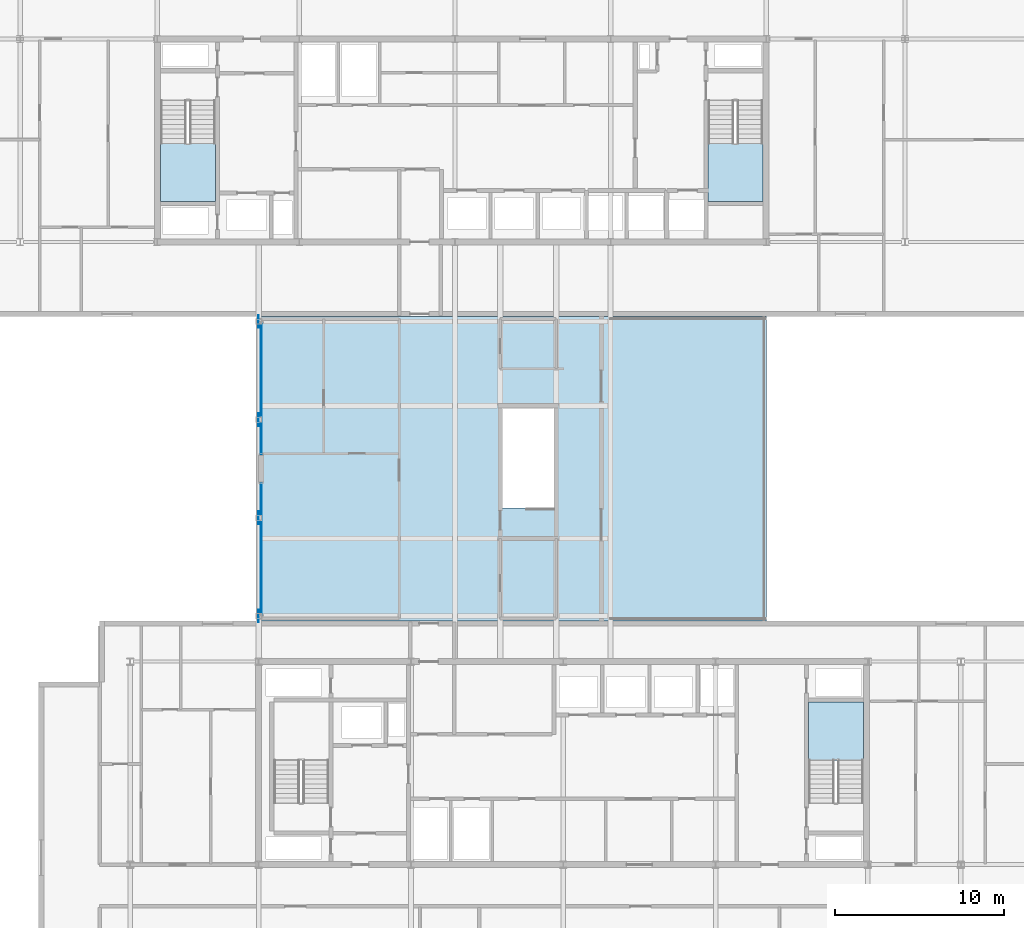
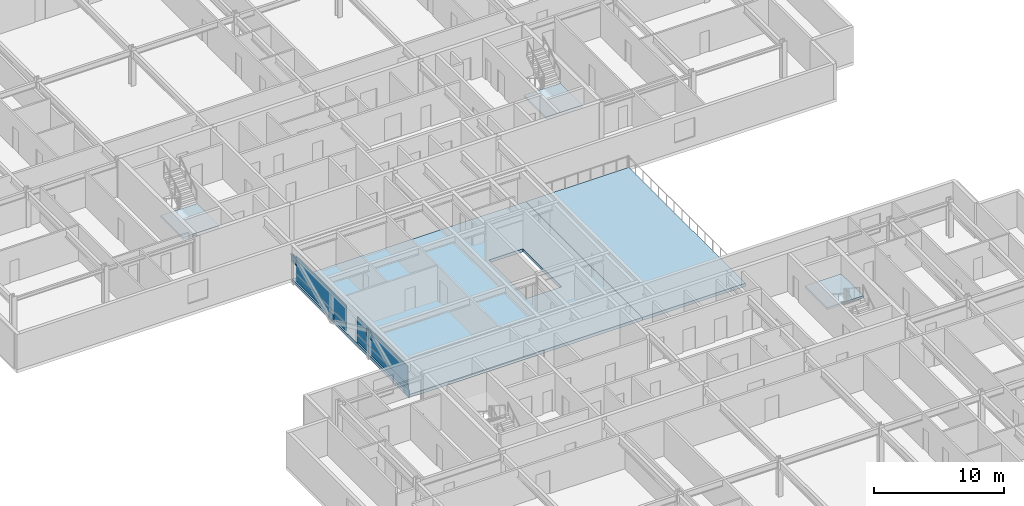
# One storey, part 9 of 28: 8 plates, 5 slabs, 5 elements without a shape of their own.
"""IFC4 building model written with IfcOpenShell, lengths in metres."""

from ifc_helpers import new_model, si_unit, direction, frame, origin, origin_2d, place, context, subcontext, project, spatial, polyline, rectangle, outline, extrude, material, layer, layer_set, type_object, element, aggregate, save


model = new_model("IFC4")

# Units and contexts
model_context = context("Model", 3, precision=1e-05, world=origin(), true_north=direction((0.0, 1.0)))
body_context = subcontext(model_context, "Body", "Model", "MODEL_VIEW")
ifc_project = project(units=[si_unit("LENGTHUNIT", "METRE"), si_unit("AREAUNIT", "SQUARE_METRE"), si_unit("VOLUMEUNIT", "CUBIC_METRE"), si_unit("PLANEANGLEUNIT", "RADIAN"), si_unit("MASSUNIT", "GRAM", prefix="KILO")], contexts=[model_context])

# Site, building, storey
site_placement = place(None, origin())
site = spatial("IfcSite", under=ifc_project, at=site_placement, CompositionType="ELEMENT")
building_placement = place(site_placement, origin())
building = spatial("IfcBuilding", under=site, at=building_placement, Name="Korimba Cascade Residences", CompositionType="ELEMENT")
storey_placement = place(building_placement, frame((0.0, 0.0, 153.699951171875)))
storey = spatial("IfcBuildingStorey", under=building, at=storey_placement, Name="L44", CompositionType="ELEMENT", Elevation=153.699951171875)

# Curtain wall, plate
ifc_material_1 = material(Name="Anodised Aluminium Curtain Wall Framing", Category="aluminium")
ifc_layer_1 = layer(ifc_material_1, 0.179931640625)
ifc_layer_set_1 = layer_set([ifc_layer_1], Name="Anodised Aluminium Curtain Wall Framing")
curtain_wall_type = type_object("IfcCurtainWallType", Name="CW-OBS-SYS4", PredefinedType="NOTDEFINED", material=ifc_layer_set_1)
curtain_wall_1_placement = place(storey_placement, origin())
curtain_wall_1 = element("IfcCurtainWall", 1, at=curtain_wall_1_placement, inside=storey, type_object=curtain_wall_type, Name="L44 Curtain Wall CW-L44-BRG-W1", PredefinedType="NOTDEFINED")
ifc_material_2 = material(Name="Insulated Stone-Tone Spandrel Panel", Category="masonry")
ifc_layer_2 = layer(ifc_material_2, 0.0400390625)
ifc_layer_set_2 = layer_set([ifc_layer_2], Name="Insulated Stone-Tone Spandrel Panel")
plate_type_1 = type_object("IfcPlateType", Name="CWP-SPN-40", PredefinedType="USERDEFINED", material=ifc_layer_set_2)
plate_1_placement = place(storey_placement, frame((82.25, 37.050048828125, 0.0), z_axis=(0.0, 0.0, 1.0), x_axis=(0.0, 1.0, 0.0)))
plate_1 = element("IfcPlate", 2, at=plate_1_placement, type_object=plate_type_1, Name="CW-L44-BRG-W1 Spandrel Panel 1", ObjectType="SPANDREL", PredefinedType="USERDEFINED", context=body_context, shape_type="SweptSolid", body=[
    extrude(rectangle(XDim=7.77001953125, YDim=0.0400390625, at=origin_2d()), origin(), (0.0, 0.0, 1.0), 0.669189453125),
])

curtain_wall_2_placement = place(storey_placement, origin())
curtain_wall_2 = element("IfcCurtainWall", 3, at=curtain_wall_2_placement, inside=storey, type_object=curtain_wall_type, Name="L44 Curtain Wall CW-L44-BRG-W2", PredefinedType="NOTDEFINED")
plate_2_placement = place(storey_placement, frame((82.25, 46.550048828125, 0.0), z_axis=(0.0, 0.0, 1.0), x_axis=(0.0, 1.0, 0.0)))
plate_2 = element("IfcPlate", 4, at=plate_2_placement, type_object=plate_type_1, Name="CW-L44-BRG-W2 Spandrel Panel 1", ObjectType="SPANDREL", PredefinedType="USERDEFINED", context=body_context, shape_type="SweptSolid", body=[
    extrude(rectangle(XDim=7.77001953125, YDim=0.0400390625, at=origin_2d()), origin(), (0.0, 0.0, 1.0), 0.669189453125),
])

# Plate
ifc_material_3 = material(Name="Low-E Double Glazing Unit", Category="glass")
ifc_layer_3 = layer(ifc_material_3, 0.028076171875)
ifc_layer_set_3 = layer_set([ifc_layer_3], Name="Low-E Double Glazing Unit")
plate_type_2 = type_object("IfcPlateType", Name="CWP-VIS-28", PredefinedType="CURTAIN_PANEL", material=ifc_layer_set_3)
plate_3_placement = place(storey_placement, frame((82.25, 37.050048828125, 0.669189453125), z_axis=(0.0, 0.0, 1.0), x_axis=(0.0, 1.0, 0.0)))
plate_3 = element("IfcPlate", 5, at=plate_3_placement, type_object=plate_type_2, Name="CW-L44-BRG-W1 Vision Glass Panel 1", PredefinedType="CURTAIN_PANEL", context=body_context, shape_type="SweptSolid", body=[
    extrude(rectangle(XDim=7.77001953125, YDim=0.028076171875, at=origin_2d()), origin(), (0.0, 0.0, 1.0), 1.720703125),
])

aggregate(curtain_wall_1, [plate_1, plate_3])

plate_4_placement = place(storey_placement, frame((82.25, 46.550048828125, 0.669189453125), z_axis=(0.0, 0.0, 1.0), x_axis=(0.0, 1.0, 0.0)))
plate_4 = element("IfcPlate", 6, at=plate_4_placement, type_object=plate_type_2, Name="CW-L44-BRG-W2 Vision Glass Panel 1", PredefinedType="CURTAIN_PANEL", context=body_context, shape_type="SweptSolid", body=[
    extrude(rectangle(XDim=7.77001953125, YDim=0.028076171875, at=origin_2d()), origin(), (0.0, 0.0, 1.0), 1.720703125),
])

aggregate(curtain_wall_2, [plate_2, plate_4])

# Plates
ifc_material_4 = material(Name="Steel S460", Category="steel")
ifc_layer_4 = layer(ifc_material_4, 0.031982421875)
ifc_layer_set_4 = layer_set([ifc_layer_4], Name="Steel S460")
plate_type_3 = type_object("IfcPlateType", Name="PLT-GUSSET-32", PredefinedType="USERDEFINED", material=ifc_layer_set_4)
for number, where, z_axis, x_axis, name in (
    (7, (82.10009765625, 33.10009765625, -0.284912109375), (0.0, 0.0, 1.0), (1.0, 0.0, 0.0), "L44 Warren Truss Node Gusset Plate MBN1 W1"),
    (8, (82.10009765625, 38.89990234375, 1.638427734375), (0.0, 0.0, 1.0), (1.0, 0.0, 0.0), "L44 Warren Truss Node Gusset Plate MBN1 W2"),
    (9, (82.10009765625, 44.699951171875, -0.284912109375), (0.0, 0.0, 1.0), (1.0, 0.0, 0.0), "L44 Warren Truss Node Gusset Plate MBN1 W3"),
    (10, (82.10009765625, 50.5, 1.638427734375), (0.0, 0.0, 1.0), (1.0, 0.0, 0.0), "L44 Warren Truss Node Gusset Plate MBN1 W4"),
):
    element("IfcPlate", number, at=place(storey_placement, frame(where, z_axis=z_axis, x_axis=x_axis)), inside=storey, type_object=plate_type_3, Name=name, ObjectType="GUSSET PLATE", PredefinedType="USERDEFINED", context=body_context, shape_type="SweptSolid", body=[
        extrude(rectangle(XDim=0.031982421875, YDim=0.75, at=origin_2d()), origin(), (0.0, 0.0, 1.0), 0.75),
    ])

# Slabs
ifc_material_5 = material(Name="Concrete C65/80", Category="concrete")
ifc_layer_5 = layer(ifc_material_5, 0.2900390625)
ifc_layer_set_5 = layer_set([ifc_layer_5], Name="Concrete C65/80")
slab_type_1 = type_object("IfcSlabType", Name="SLB-BRG-310", PredefinedType="FLOOR", material=ifc_layer_set_5)
slab_1_placement = place(storey_placement, frame((0.0, 0.0, -0.2900390625)))
element("IfcSlab", 11, at=slab_1_placement, inside=storey, type_object=slab_type_1, Name="L44 Skybridge Spa Pavilion Floor Slab", PredefinedType="FLOOR", context=body_context, shape_type="SweptSolid", body=[
    extrude(outline(polyline([(82.10009765625, 32.800048828125), (102.89990234375, 32.800048828125), (102.89990234375, 50.800048828125), (82.10009765625, 50.800048828125), (82.10009765625, 32.800048828125)]), holes=[polyline([(99.56005859375, 39.485107421875), (99.56005859375, 45.39990234375), (96.5, 45.39990234375), (96.5, 39.485107421875), (99.56005859375, 39.485107421875)])]), origin(), (0.0, 0.0, 1.0), 0.2900390625),
])
slab_2_placement = place(storey_placement, frame((0.0, 0.0, -0.2900390625)))
element("IfcSlab", 12, at=slab_2_placement, inside=storey, type_object=slab_type_1, Name="L44 Sky Pool Lap Deck Slab", PredefinedType="FLOOR", context=body_context, shape_type="SweptSolid", body=[
    extrude(outline(polyline([(102.89990234375, 32.800048828125), (112.10009765625, 32.800048828125), (112.10009765625, 50.800048828125), (102.89990234375, 50.800048828125), (102.89990234375, 32.800048828125)])), origin(), (0.0, 0.0, 1.0), 0.2900390625),
])

# Stair, slab
ifc_material_6 = material(Name="Concrete C50/60", Category="concrete")
stair_type_1 = type_object("IfcStairType", Name="STR-W1-20R-1800", PredefinedType="HALF_TURN_STAIR", material=ifc_material_6)
stair_1_placement = place(storey_placement, origin())
stair_1 = element("IfcStair", 13, at=stair_1_placement, inside=storey, type_object=stair_type_1, Name="L44 Tower 1 West Fire Stair ST-W1", PredefinedType="HALF_TURN_STAIR")
ifc_layer_6 = layer(ifc_material_6, 0.199951171875)
ifc_layer_set_6 = layer_set([ifc_layer_6], Name="Concrete C50/60")
slab_type_2 = type_object("IfcSlabType", Name="SLB-LND-220", PredefinedType="LANDING", material=ifc_layer_set_6)
slab_3_placement = place(storey_placement, frame((0.0, 0.0, 1.60009765625)))
slab_3 = element("IfcSlab", 14, at=slab_3_placement, type_object=slab_type_2, Name="ST-W1 landing 1", PredefinedType="LANDING", context=body_context, shape_type="SweptSolid", body=[
    extrude(outline(polyline([(76.300048828125, 61.030029296875), (76.300048828125, 57.60009765625), (79.5400390625, 57.60009765625), (79.5400390625, 61.030029296875), (76.300048828125, 61.030029296875)])), origin(), (0.0, 0.0, 1.0), 0.199951171875),
])
aggregate(stair_1, [slab_3])

stair_type_2 = type_object("IfcStairType", Name="STR-W2-20R-1800", PredefinedType="HALF_TURN_STAIR", material=ifc_material_6)
stair_2_placement = place(storey_placement, origin())
stair_2 = element("IfcStair", 15, at=stair_2_placement, inside=storey, type_object=stair_type_2, Name="L44 Tower 1 East Fire Stair ST-W2", PredefinedType="HALF_TURN_STAIR")
slab_4_placement = place(storey_placement, frame((0.0, 0.0, 1.60009765625)))
slab_4 = element("IfcSlab", 16, at=slab_4_placement, type_object=slab_type_2, Name="ST-W2 landing 1", PredefinedType="LANDING", context=body_context, shape_type="SweptSolid", body=[
    extrude(outline(polyline([(108.659912109375, 61.030029296875), (108.659912109375, 57.60009765625), (111.89990234375, 57.60009765625), (111.89990234375, 61.030029296875), (108.659912109375, 61.030029296875)])), origin(), (0.0, 0.0, 1.0), 0.199951171875),
])
aggregate(stair_2, [slab_4])

stair_type_3 = type_object("IfcStairType", Name="STR-E2-20R-1800", PredefinedType="HALF_TURN_STAIR", material=ifc_material_6)
stair_3_placement = place(storey_placement, origin())
stair_3 = element("IfcStair", 17, at=stair_3_placement, inside=storey, type_object=stair_type_3, Name="L44 Tower 2 East Fire Stair ST-E2", PredefinedType="HALF_TURN_STAIR")
slab_5_placement = place(storey_placement, frame((0.0, 0.0, 1.60009765625)))
slab_5 = element("IfcSlab", 18, at=slab_5_placement, type_object=slab_type_2, Name="ST-E2 landing 1", PredefinedType="LANDING", context=body_context, shape_type="SweptSolid", body=[
    extrude(outline(polyline([(117.840087890625, 24.570068359375), (117.840087890625, 28.0), (114.60009765625, 28.0), (114.60009765625, 24.570068359375), (117.840087890625, 24.570068359375)])), origin(), (0.0, 0.0, 1.0), 0.199951171875),
])
aggregate(stair_3, [slab_5])

save(model, "model.ifc")
